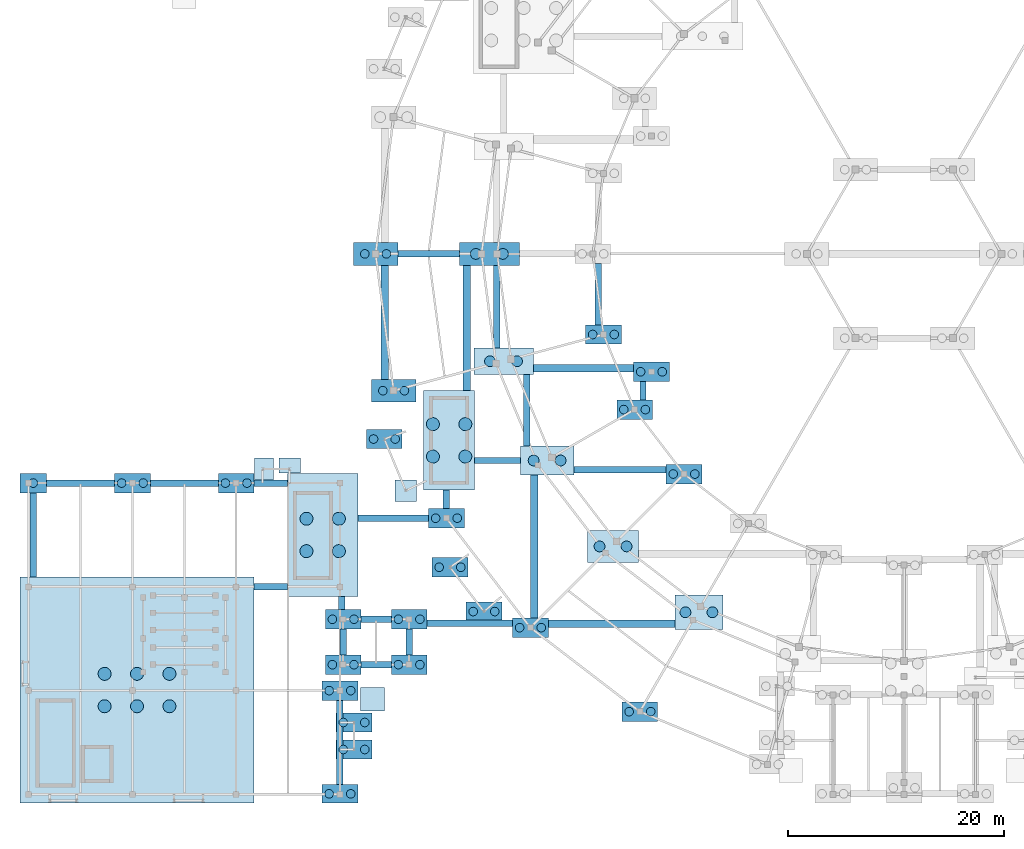
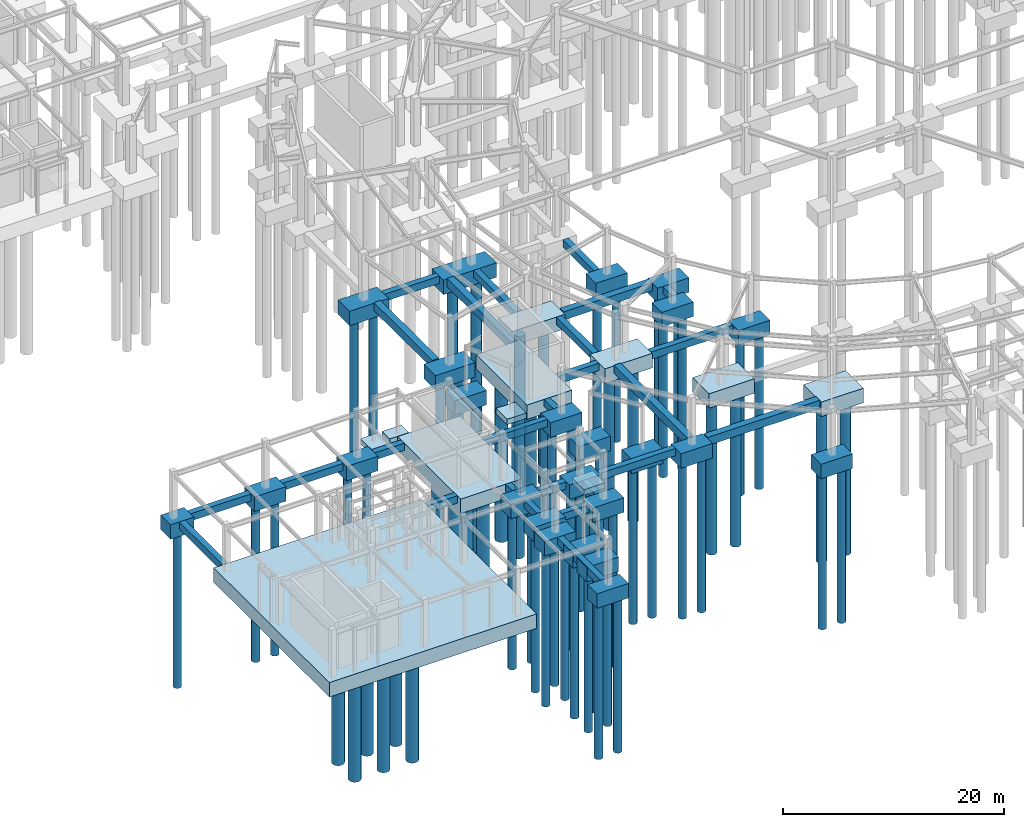
# One storey, part 1 of 55: 69 piles, 61 footings.
"""IFC4 building model written with IfcOpenShell, lengths in metres."""

from ifc_helpers import new_model, si_unit, direction, frame, origin, origin_2d, place, context, subcontext, project, spatial, rectangle, circle, extrude, material, material_profile, profile_set, type_object, element, save


model = new_model("IFC4")

# Units and contexts
model_context = context("Model", 3, precision=1e-05, world=origin(), true_north=direction((0.0, 1.0)))
body_context = subcontext(model_context, "Body", "Model", "MODEL_VIEW")
ifc_project = project(units=[si_unit("LENGTHUNIT", "METRE"), si_unit("AREAUNIT", "SQUARE_METRE"), si_unit("VOLUMEUNIT", "CUBIC_METRE"), si_unit("PLANEANGLEUNIT", "RADIAN"), si_unit("MASSUNIT", "GRAM", prefix="KILO")], contexts=[model_context])

# Site, building, storey
site_placement = place(None, origin())
site = spatial("IfcSite", under=ifc_project, at=site_placement, CompositionType="ELEMENT")
building_placement = place(site_placement, origin())
building = spatial("IfcBuilding", under=site, at=building_placement, Name="Almandine Court Research Institute", CompositionType="ELEMENT")
storey_placement = place(building_placement, frame((0.0, 0.0, -5.25)))
storey = spatial("IfcBuildingStorey", under=building, at=storey_placement, Name="B1", CompositionType="ELEMENT", Elevation=-5.25)

# Footings
ifc_material = material(Name="Concrete C35/45", Category="concrete")
footing_type_1 = type_object("IfcFootingType", Name="Cap-PC-02", PredefinedType="PILE_CAP", material=ifc_material)
footing_1_placement = place(storey_placement, frame((16.02490234375, 15.64990234375, -1.60009765625), z_axis=(0.0, 0.0, 1.0), x_axis=(1.0, 0.0, 0.0)))
element("IfcFooting", 1, at=footing_1_placement, inside=storey, type_object=footing_type_1, Name="Reinforced Concrete Pile Cap 004", PredefinedType="PILE_CAP", context=body_context, shape_type="SweptSolid", body=[
    extrude(rectangle(XDim=21.64990234375, YDim=20.89990234375, at=origin_2d()), origin(), (0.0, 0.0, 1.0), 1.60009765625),
])
footing_type_2 = type_object("IfcFootingType", Name="Cap-PC-03", PredefinedType="PILE_CAP", material=ifc_material)
footing_2_placement = place(storey_placement, frame((34.800048828125, 6.050048828125, -1.60009765625), z_axis=(0.0, 0.0, 1.0), x_axis=(1.0, 0.0, 0.0)))
element("IfcFooting", 2, at=footing_2_placement, inside=storey, type_object=footing_type_2, Name="Reinforced Concrete Pile Cap 005", PredefinedType="PILE_CAP", context=body_context, shape_type="SweptSolid", body=[
    extrude(rectangle(XDim=3.300048828125, YDim=1.699951171875, at=origin_2d()), origin(), (0.0, 0.0, 1.0), 1.60009765625),
])
footing_type_3 = type_object("IfcFootingType", Name="Cap-PC-05", PredefinedType="PILE_CAP", material=ifc_material)
for number, where, z_axis, x_axis, name in (
    (3, (62.550048828125, 13.65087890625, -1.60009765625), (0.0, 0.0, 1.0), (1.0, 0.0, 0.0), "Reinforced Concrete Pile Cap 012"),
    (4, (34.800048828125, 15.60009765625, -1.60009765625), (0.0, 0.0, 1.0), (1.0, 0.0, 0.0), "Reinforced Concrete Pile Cap 020"),
    (5, (35.10009765625, 18.0, -1.60009765625), (0.0, 0.0, 1.0), (1.0, 0.0, 0.0), "Reinforced Concrete Pile Cap 024"),
    (6, (41.199951171875, 18.0, -1.60009765625), (0.0, 0.0, 1.0), (1.0, 0.0, 0.0), "Reinforced Concrete Pile Cap 025"),
    (7, (52.422119140625, 21.422119140625, -1.60009765625), (0.0, 0.0, 1.0), (1.0, 0.0, 0.0), "Reinforced Concrete Pile Cap 028"),
    (8, (35.10009765625, 22.199951171875, -1.60009765625), (0.0, 0.0, 1.0), (1.0, 0.0, 0.0), "Reinforced Concrete Pile Cap 032"),
    (9, (41.199951171875, 22.199951171875, -1.60009765625), (0.0, 0.0, 1.0), (1.0, 0.0, 0.0), "Reinforced Concrete Pile Cap 033"),
    (10, (44.65087890625, 31.550048828125, -1.60009765625), (0.0, 0.0, 1.0), (1.0, 0.0, 0.0), "Reinforced Concrete Pile Cap 047"),
    (11, (15.60009765625, 34.800048828125, -1.60009765625), (0.0, 0.0, 1.0), (1.0, 0.0, 0.0), "Reinforced Concrete Pile Cap 052"),
    (12, (25.199951171875, 34.800048828125, -1.60009765625), (0.0, 0.0, 1.0), (1.0, 0.0, 0.0), "Reinforced Concrete Pile Cap 053"),
    (13, (66.635009765625, 35.635009765625, -1.60009765625), (0.0, 0.0, 1.0), (1.0, 0.0, 0.0), "Reinforced Concrete Pile Cap 057"),
    (14, (62.05810546875, 41.60009765625, -1.60009765625), (0.0, 0.0, 1.0), (1.0, 0.0, 0.0), "Reinforced Concrete Pile Cap 060"),
    (15, (63.616943359375, 45.095947265625, -1.60009765625), (0.0, 0.0, 1.0), (1.0, 0.0, 0.0), "Reinforced Concrete Pile Cap 068"),
    (16, (59.180908203125, 48.5458984375, -1.60009765625), (0.0, 0.0, 1.0), (1.0, 0.0, 0.0), "Reinforced Concrete Pile Cap 072"),
):
    element("IfcFooting", number, at=place(storey_placement, frame(where, z_axis=z_axis, x_axis=x_axis)), inside=storey, type_object=footing_type_3, Name=name, PredefinedType="PILE_CAP", context=body_context, shape_type="SweptSolid", body=[
        extrude(rectangle(XDim=3.300048828125, YDim=1.800048828125, at=origin_2d()), origin(), (0.0, 0.0, 1.0), 1.60009765625),
    ])
footing_type_4 = type_object("IfcFootingType", Name="Cap-PC-10", PredefinedType="PILE_CAP", material=ifc_material)
footing_3_placement = place(storey_placement, frame((68.011962890625, 22.841064453125, -1.60009765625), z_axis=(0.0, 0.0, 1.0), x_axis=(1.0, 0.0, 0.0)))
element("IfcFooting", 17, at=footing_3_placement, inside=storey, type_object=footing_type_4, Name="Reinforced Concrete Pile Cap 030", PredefinedType="PILE_CAP", context=body_context, shape_type="SweptSolid", body=[
    extrude(rectangle(XDim=4.425048828125, YDim=3.2060546875, at=origin_2d()), origin(), (0.0, 0.0, 1.0), 1.60009765625),
])
footing_type_5 = type_object("IfcFootingType", Name="Cap-PC-11", PredefinedType="PILE_CAP", material=ifc_material)
footing_4_placement = place(storey_placement, frame((33.199951171875, 30.0, -1.60009765625), z_axis=(0.0, 0.0, 1.0), x_axis=(1.0, 0.0, 0.0)))
element("IfcFooting", 18, at=footing_4_placement, inside=storey, type_object=footing_type_5, Name="Reinforced Concrete Pile Cap 036", PredefinedType="PILE_CAP", context=body_context, shape_type="SweptSolid", body=[
    extrude(rectangle(XDim=6.5, YDim=11.39990234375, at=origin_2d()), origin(), (0.0, 0.0, 1.0), 1.60009765625),
])
footing_type_6 = type_object("IfcFootingType", Name="Cap-PC-13", PredefinedType="PILE_CAP", material=ifc_material)
footing_5_placement = place(storey_placement, frame((60.06396484375, 28.93994140625, -1.60009765625), z_axis=(0.0, 0.0, 1.0), x_axis=(1.0, 0.0, 0.0)))
element("IfcFooting", 19, at=footing_5_placement, inside=storey, type_object=footing_type_6, Name="Reinforced Concrete Pile Cap 043", PredefinedType="PILE_CAP", context=body_context, shape_type="SweptSolid", body=[
    extrude(rectangle(XDim=4.72509765625, YDim=2.97509765625, at=origin_2d()), origin(), (0.0, 0.0, 1.0), 1.60009765625),
])
footing_type_7 = type_object("IfcFootingType", Name="Cap-PC-14", PredefinedType="PILE_CAP", material=ifc_material)
footing_6_placement = place(storey_placement, frame((6.425048828125, 34.800048828125, -1.60009765625), z_axis=(0.0, 0.0, 1.0), x_axis=(1.0, 0.0, 0.0)))
element("IfcFooting", 20, at=footing_6_placement, inside=storey, type_object=footing_type_7, Name="Reinforced Concrete Pile Cap 051", PredefinedType="PILE_CAP", context=body_context, shape_type="SweptSolid", body=[
    extrude(rectangle(XDim=2.449951171875, YDim=1.800048828125, at=origin_2d()), origin(), (0.0, 0.0, 1.0), 1.60009765625),
])
footing_type_8 = type_object("IfcFootingType", Name="Cap-PC-16", PredefinedType="PILE_CAP", material=ifc_material)
footing_7_placement = place(storey_placement, frame((44.89990234375, 38.75, -1.60009765625), z_axis=(0.0, 0.0, 1.0), x_axis=(1.0, 0.0, 0.0)))
element("IfcFooting", 21, at=footing_7_placement, inside=storey, type_object=footing_type_8, Name="Reinforced Concrete Pile Cap 056", PredefinedType="PILE_CAP", context=body_context, shape_type="SweptSolid", body=[
    extrude(rectangle(XDim=4.699951171875, YDim=9.199951171875, at=origin_2d()), origin(), (0.0, 0.0, 1.0), 1.60009765625),
])
footing_type_9 = type_object("IfcFootingType", Name="Cap-PC-17", PredefinedType="PILE_CAP", material=ifc_material)
footing_8_placement = place(storey_placement, frame((53.966064453125, 36.887939453125, -1.60009765625), z_axis=(0.0, 0.0, 1.0), x_axis=(1.0, 0.0, 0.0)))
element("IfcFooting", 22, at=footing_8_placement, inside=storey, type_object=footing_type_9, Name="Reinforced Concrete Pile Cap 059", PredefinedType="PILE_CAP", context=body_context, shape_type="SweptSolid", body=[
    extrude(rectangle(XDim=4.9560546875, YDim=2.675048828125, at=origin_2d()), origin(), (0.0, 0.0, 1.0), 1.60009765625),
])
footing_type_10 = type_object("IfcFootingType", Name="Cap-PC-18", PredefinedType="PILE_CAP", material=ifc_material)
for number, where, z_axis, x_axis, name in (
    (23, (39.76611328125, 43.343994140625, -1.60009765625), (0.0, 0.0, 1.0), (1.0, 0.0, 0.0), "Reinforced Concrete Pile Cap 062"),
    (24, (38.10009765625, 56.0, -1.60009765625), (0.0, 0.0, 1.0), (1.0, 0.0, 0.0), "Reinforced Concrete Pile Cap 080"),
):
    element("IfcFooting", number, at=place(storey_placement, frame(where, z_axis=z_axis, x_axis=x_axis)), inside=storey, type_object=footing_type_10, Name=name, PredefinedType="PILE_CAP", context=body_context, shape_type="SweptSolid", body=[
        extrude(rectangle(XDim=4.10009765625, YDim=2.10009765625, at=origin_2d()), origin(), (0.0, 0.0, 1.0), 1.60009765625),
    ])
footing_type_11 = type_object("IfcFootingType", Name="Cap-PC-21", PredefinedType="PILE_CAP", material=ifc_material)
footing_9_placement = place(storey_placement, frame((49.93310546875, 46.06689453125, -1.60009765625), z_axis=(0.0, 0.0, 1.0), x_axis=(1.0, 0.0, 0.0)))
element("IfcFooting", 25, at=footing_9_placement, inside=storey, type_object=footing_type_11, Name="Reinforced Concrete Pile Cap 069", PredefinedType="PILE_CAP", context=body_context, shape_type="SweptSolid", body=[
    extrude(rectangle(XDim=5.5009765625, YDim=2.47509765625, at=origin_2d()), origin(), (0.0, 0.0, 1.0), 1.60009765625),
])
footing_type_12 = type_object("IfcFootingType", Name="Cap-PC-25", PredefinedType="PILE_CAP", material=ifc_material)
footing_10_placement = place(storey_placement, frame((48.625, 56.0, -1.60009765625), z_axis=(0.0, 0.0, 1.0), x_axis=(1.0, 0.0, 0.0)))
element("IfcFooting", 26, at=footing_10_placement, inside=storey, type_object=footing_type_12, Name="Reinforced Concrete Pile Cap 081", PredefinedType="PILE_CAP", context=body_context, shape_type="SweptSolid", body=[
    extrude(rectangle(XDim=5.550048828125, YDim=2.10009765625, at=origin_2d()), origin(), (0.0, 0.0, 1.0), 1.60009765625),
])
footing_type_13 = type_object("IfcFootingType", Name="Cap-PC-S01", PredefinedType="PILE_CAP", material=ifc_material)
for number, where, z_axis, x_axis, name in (
    (27, (36.10009765625, 10.14990234375, -1.60009765625), (0.0, 0.0, 1.0), (1.0, 0.0, 0.0), "Supplemental Threshold Pile Cap 002"),
    (28, (36.10009765625, 12.64990234375, -1.60009765625), (0.0, 0.0, 1.0), (1.0, 0.0, 0.0), "Supplemental Threshold Pile Cap 003"),
    (29, (38.907958984375, 38.875, -1.60009765625), (0.0, 0.0, 1.0), (1.0, 0.0, 0.0), "Supplemental Threshold Pile Cap 025"),
    (30, (44.97900390625, 27.011962890625, -1.60009765625), (0.0, 0.0, 1.0), (1.0, 0.0, 0.0), "Supplemental Threshold Pile Cap 026"),
    (31, (48.123046875, 22.9130859375, -1.60009765625), (0.0, 0.0, 1.0), (1.0, 0.0, 0.0), "Supplemental Threshold Pile Cap 027"),
):
    element("IfcFooting", number, at=place(storey_placement, frame(where, z_axis=z_axis, x_axis=x_axis)), inside=storey, type_object=footing_type_13, Name=name, PredefinedType="PILE_CAP", context=body_context, shape_type="SweptSolid", body=[
        extrude(rectangle(XDim=3.300048828125, YDim=1.800048828125, at=origin_2d()), origin(), (0.0, 0.0, 1.0), 1.60009765625),
    ])
footing_type_14 = type_object("IfcFootingType", Name="Pad-PF1", PredefinedType="PAD_FOOTING", material=ifc_material)
footing_11_placement = place(storey_placement, frame((37.800048828125, 14.800048828125, 4.5), z_axis=(0.0, 0.0, 1.0), x_axis=(1.0, 0.0, 0.0)))
element("IfcFooting", 32, at=footing_11_placement, inside=storey, type_object=footing_type_14, Name="Accessible Ramp Base Pad Footing 3", PredefinedType="PAD_FOOTING", context=body_context, shape_type="SweptSolid", body=[
    extrude(rectangle(XDim=2.199951171875, YDim=2.199951171875, at=origin_2d()), origin(), (0.0, 0.0, 1.0), 0.60009765625),
])
footing_12_placement = place(storey_placement, frame((27.764892578125, 36.10009765625, -0.60009765625), z_axis=(0.0, 0.0, 1.0), x_axis=(1.0, 0.0, 0.0)))
element("IfcFooting", 33, at=footing_12_placement, inside=storey, type_object=footing_type_14, Name="Reinforced Concrete Pad Footing PAD-V1-N3-C1", PredefinedType="PAD_FOOTING", context=body_context, shape_type="SweptSolid", body=[
    extrude(rectangle(XDim=1.77001953125, YDim=2.0, at=origin_2d()), origin(), (0.0, 0.0, 1.0), 0.60009765625),
])
footing_13_placement = place(storey_placement, frame((30.14990234375, 36.4150390625, -0.60009765625), z_axis=(0.0, 0.0, 1.0), x_axis=(1.0, 0.0, 0.0)))
element("IfcFooting", 34, at=footing_13_placement, inside=storey, type_object=footing_type_14, Name="Reinforced Concrete Pad Footing PAD-V1-N3-C2", PredefinedType="PAD_FOOTING", context=body_context, shape_type="SweptSolid", body=[
    extrude(rectangle(XDim=2.0, YDim=1.3701171875, at=origin_2d()), origin(), (0.0, 0.0, 1.0), 0.60009765625),
])
footing_14_placement = place(storey_placement, frame((40.885009765625, 34.10302734375, -0.60009765625), z_axis=(0.0, 0.0, 1.0), x_axis=(1.0, 0.0, 0.0)))
element("IfcFooting", 35, at=footing_14_placement, inside=storey, type_object=footing_type_14, Name="Reinforced Concrete Pad Footing PAD-DRUM-S13-C2", PredefinedType="PAD_FOOTING", context=body_context, shape_type="SweptSolid", body=[
    extrude(rectangle(XDim=2.0, YDim=2.0, at=origin_2d()), origin(), (0.0, 0.0, 1.0), 0.60009765625),
])

# Piles
ifc_material_profile_1 = material_profile(ifc_material, circle(Radius=0.5, at=origin_2d()), Name="BORED PILE D1000")
ifc_profile_set_1 = profile_set([ifc_material_profile_1], Name="Concrete C35/45")
pile_type_1 = type_object("IfcPileType", Name="Pile-BP-1000", PredefinedType="BORED", material=ifc_profile_set_1)
for number, where, z_axis, x_axis, name in (
    (36, (66.761962890625, 22.841064453125, -1.5), (0.0, 0.0, -1.0), (1.0, 0.0, 0.0), "Bored Pile 030-1"),
    (37, (69.261962890625, 22.841064453125, -1.5), (0.0, 0.0, -1.0), (1.0, 0.0, 0.0), "Bored Pile 030-2"),
    (38, (58.81396484375, 28.93994140625, -1.5), (0.0, 0.0, -1.0), (1.0, 0.0, 0.0), "Bored Pile 043-1"),
    (39, (61.31396484375, 28.93994140625, -1.5), (0.0, 0.0, -1.0), (1.0, 0.0, 0.0), "Bored Pile 043-2"),
    (40, (52.716064453125, 36.887939453125, -1.5), (0.0, 0.0, -1.0), (1.0, 0.0, 0.0), "Bored Pile 059-1"),
    (41, (55.216064453125, 36.887939453125, -1.5), (0.0, 0.0, -1.0), (1.0, 0.0, 0.0), "Bored Pile 059-2"),
    (42, (48.68310546875, 46.06689453125, -1.5), (0.0, 0.0, -1.0), (1.0, 0.0, 0.0), "Bored Pile 069-1"),
    (43, (51.18310546875, 46.06689453125, -1.5), (0.0, 0.0, -1.0), (1.0, 0.0, 0.0), "Bored Pile 069-2"),
    (44, (47.375, 56.0, -1.5), (0.0, 0.0, -1.0), (1.0, 0.0, 0.0), "Bored Pile 081-1"),
    (45, (49.875, 56.0, -1.5), (0.0, 0.0, -1.0), (1.0, 0.0, 0.0), "Bored Pile 081-2"),
):
    element("IfcPile", number, at=place(storey_placement, frame(where, z_axis=z_axis, x_axis=x_axis)), inside=storey, type_object=pile_type_1, Name=name, PredefinedType="BORED", context=body_context, shape_type="SweptSolid", body=[
        extrude(circle(Radius=0.5, at=origin_2d()), origin(), (0.0, 0.0, 1.0), 17.25),
    ])
ifc_material_profile_2 = material_profile(ifc_material, circle(Radius=0.60009765625, at=origin_2d()), Name="BORED PILE D1200")
ifc_profile_set_2 = profile_set([ifc_material_profile_2], Name="Concrete C35/45")
pile_type_2 = type_object("IfcPileType", Name="Pile-BP-1200", PredefinedType="BORED", material=ifc_profile_set_2)
for number, where, z_axis, x_axis, name in (
    (46, (13.02490234375, 14.14990234375, -1.5), (0.0, 0.0, -1.0), (1.0, 0.0, 0.0), "Bored Pile 004-1"),
    (47, (13.02490234375, 17.14990234375, -1.5), (0.0, 0.0, -1.0), (1.0, 0.0, 0.0), "Bored Pile 004-2"),
    (48, (16.02490234375, 14.14990234375, -1.5), (0.0, 0.0, -1.0), (1.0, 0.0, 0.0), "Bored Pile 004-3"),
    (49, (16.02490234375, 17.14990234375, -1.5), (0.0, 0.0, -1.0), (1.0, 0.0, 0.0), "Bored Pile 004-4"),
    (50, (19.02490234375, 14.14990234375, -1.5), (0.0, 0.0, -1.0), (1.0, 0.0, 0.0), "Bored Pile 004-5"),
    (51, (19.02490234375, 17.14990234375, -1.5), (0.0, 0.0, -1.0), (1.0, 0.0, 0.0), "Bored Pile 004-6"),
    (52, (31.699951171875, 28.5, -1.5), (0.0, 0.0, -1.0), (1.0, 0.0, 0.0), "Bored Pile 036-1"),
    (53, (31.699951171875, 31.5, -1.5), (0.0, 0.0, -1.0), (1.0, 0.0, 0.0), "Bored Pile 036-2"),
    (54, (34.699951171875, 28.5, -1.5), (0.0, 0.0, -1.0), (1.0, 0.0, 0.0), "Bored Pile 036-3"),
    (55, (34.699951171875, 31.5, -1.5), (0.0, 0.0, -1.0), (1.0, 0.0, 0.0), "Bored Pile 036-4"),
    (56, (43.39990234375, 37.25, -1.5), (0.0, 0.0, -1.0), (1.0, 0.0, 0.0), "Bored Pile 056-1"),
    (57, (43.39990234375, 40.25, -1.5), (0.0, 0.0, -1.0), (1.0, 0.0, 0.0), "Bored Pile 056-2"),
    (58, (46.39990234375, 37.25, -1.5), (0.0, 0.0, -1.0), (1.0, 0.0, 0.0), "Bored Pile 056-3"),
    (59, (46.39990234375, 40.25, -1.5), (0.0, 0.0, -1.0), (1.0, 0.0, 0.0), "Bored Pile 056-4"),
):
    element("IfcPile", number, at=place(storey_placement, frame(where, z_axis=z_axis, x_axis=x_axis)), inside=storey, type_object=pile_type_2, Name=name, PredefinedType="BORED", context=body_context, shape_type="SweptSolid", body=[
        extrude(circle(Radius=0.60009765625, at=origin_2d()), origin(), (0.0, 0.0, 1.0), 17.25),
    ])
ifc_material_profile_3 = material_profile(ifc_material, circle(Radius=0.39990234375, at=origin_2d()), Name="BORED PILE D800")
ifc_profile_set_3 = profile_set([ifc_material_profile_3], Name="Concrete C35/45")
pile_type_3 = type_object("IfcPileType", Name="Pile-BP-800", PredefinedType="BORED", material=ifc_profile_set_3)
for number, where, z_axis, x_axis, name in (
    (60, (33.800048828125, 6.050048828125, -1.5), (0.0, 0.0, -1.0), (1.0, 0.0, 0.0), "Bored Pile 005-1"),
    (61, (35.800048828125, 6.050048828125, -1.5), (0.0, 0.0, -1.0), (1.0, 0.0, 0.0), "Bored Pile 005-2"),
    (62, (61.550048828125, 13.65087890625, -1.5), (0.0, 0.0, -1.0), (1.0, 0.0, 0.0), "Bored Pile 012-1"),
    (63, (63.550048828125, 13.65087890625, -1.5), (0.0, 0.0, -1.0), (1.0, 0.0, 0.0), "Bored Pile 012-2"),
    (64, (33.800048828125, 15.60009765625, -1.5), (0.0, 0.0, -1.0), (1.0, 0.0, 0.0), "Bored Pile 020-1"),
    (65, (35.800048828125, 15.60009765625, -1.5), (0.0, 0.0, -1.0), (1.0, 0.0, 0.0), "Bored Pile 020-2"),
    (66, (34.10009765625, 18.0, -1.5), (0.0, 0.0, -1.0), (1.0, 0.0, 0.0), "Bored Pile 024-1"),
    (67, (36.10009765625, 18.0, -1.5), (0.0, 0.0, -1.0), (1.0, 0.0, 0.0), "Bored Pile 024-2"),
    (68, (40.199951171875, 18.0, -1.5), (0.0, 0.0, -1.0), (1.0, 0.0, 0.0), "Bored Pile 025-1"),
    (69, (42.199951171875, 18.0, -1.5), (0.0, 0.0, -1.0), (1.0, 0.0, 0.0), "Bored Pile 025-2"),
    (70, (51.422119140625, 21.422119140625, -1.5), (0.0, 0.0, -1.0), (1.0, 0.0, 0.0), "Bored Pile 028-1"),
    (71, (53.422119140625, 21.422119140625, -1.5), (0.0, 0.0, -1.0), (1.0, 0.0, 0.0), "Bored Pile 028-2"),
    (72, (34.10009765625, 22.199951171875, -1.5), (0.0, 0.0, -1.0), (1.0, 0.0, 0.0), "Bored Pile 032-1"),
    (73, (36.10009765625, 22.199951171875, -1.5), (0.0, 0.0, -1.0), (1.0, 0.0, 0.0), "Bored Pile 032-2"),
    (74, (40.199951171875, 22.199951171875, -1.5), (0.0, 0.0, -1.0), (1.0, 0.0, 0.0), "Bored Pile 033-1"),
    (75, (42.199951171875, 22.199951171875, -1.5), (0.0, 0.0, -1.0), (1.0, 0.0, 0.0), "Bored Pile 033-2"),
    (76, (43.65087890625, 31.550048828125, -1.5), (0.0, 0.0, -1.0), (1.0, 0.0, 0.0), "Bored Pile 047-1"),
    (77, (45.65087890625, 31.550048828125, -1.5), (0.0, 0.0, -1.0), (1.0, 0.0, 0.0), "Bored Pile 047-2"),
    (78, (6.425048828125, 34.800048828125, -1.5), (0.0, 0.0, -1.0), (1.0, 0.0, 0.0), "Bored Pile 051-1"),
    (79, (14.60009765625, 34.800048828125, -1.5), (0.0, 0.0, -1.0), (1.0, 0.0, 0.0), "Bored Pile 052-1"),
    (80, (16.60009765625, 34.800048828125, -1.5), (0.0, 0.0, -1.0), (1.0, 0.0, 0.0), "Bored Pile 052-2"),
    (81, (24.199951171875, 34.800048828125, -1.5), (0.0, 0.0, -1.0), (1.0, 0.0, 0.0), "Bored Pile 053-1"),
    (82, (26.199951171875, 34.800048828125, -1.5), (0.0, 0.0, -1.0), (1.0, 0.0, 0.0), "Bored Pile 053-2"),
    (83, (65.635009765625, 35.635009765625, -1.5), (0.0, 0.0, -1.0), (1.0, 0.0, 0.0), "Bored Pile 057-1"),
    (84, (67.635009765625, 35.635009765625, -1.5), (0.0, 0.0, -1.0), (1.0, 0.0, 0.0), "Bored Pile 057-2"),
    (85, (61.05810546875, 41.60009765625, -1.5), (0.0, 0.0, -1.0), (1.0, 0.0, 0.0), "Bored Pile 060-1"),
    (86, (63.05810546875, 41.60009765625, -1.5), (0.0, 0.0, -1.0), (1.0, 0.0, 0.0), "Bored Pile 060-2"),
    (87, (38.76611328125, 43.343994140625, -1.5), (0.0, 0.0, -1.0), (1.0, 0.0, 0.0), "Bored Pile 062-1"),
    (88, (40.76611328125, 43.343994140625, -1.5), (0.0, 0.0, -1.0), (1.0, 0.0, 0.0), "Bored Pile 062-2"),
    (89, (62.616943359375, 45.095947265625, -1.5), (0.0, 0.0, -1.0), (1.0, 0.0, 0.0), "Bored Pile 068-1"),
    (90, (64.616943359375, 45.095947265625, -1.5), (0.0, 0.0, -1.0), (1.0, 0.0, 0.0), "Bored Pile 068-2"),
    (91, (58.180908203125, 48.5458984375, -1.5), (0.0, 0.0, -1.0), (1.0, 0.0, 0.0), "Bored Pile 072-1"),
    (92, (60.180908203125, 48.5458984375, -1.5), (0.0, 0.0, -1.0), (1.0, 0.0, 0.0), "Bored Pile 072-2"),
    (93, (37.10009765625, 56.0, -1.5), (0.0, 0.0, -1.0), (1.0, 0.0, 0.0), "Bored Pile 080-1"),
    (94, (39.10009765625, 56.0, -1.5), (0.0, 0.0, -1.0), (1.0, 0.0, 0.0), "Bored Pile 080-2"),
    (95, (35.10009765625, 10.14990234375, -1.5), (0.0, 0.0, -1.0), (1.0, 0.0, 0.0), "Supplemental Bored Pile 002-1"),
    (96, (37.10009765625, 10.14990234375, -1.5), (0.0, 0.0, -1.0), (1.0, 0.0, 0.0), "Supplemental Bored Pile 002-2"),
    (97, (35.10009765625, 12.64990234375, -1.5), (0.0, 0.0, -1.0), (1.0, 0.0, 0.0), "Supplemental Bored Pile 003-1"),
    (98, (37.10009765625, 12.64990234375, -1.5), (0.0, 0.0, -1.0), (1.0, 0.0, 0.0), "Supplemental Bored Pile 003-2"),
    (99, (37.907958984375, 38.875, -1.5), (0.0, 0.0, -1.0), (1.0, 0.0, 0.0), "Supplemental Bored Pile 025-1"),
    (100, (39.907958984375, 38.875, -1.5), (0.0, 0.0, -1.0), (1.0, 0.0, 0.0), "Supplemental Bored Pile 025-2"),
    (101, (43.97900390625, 27.011962890625, -1.5), (0.0, 0.0, -1.0), (1.0, 0.0, 0.0), "Supplemental Bored Pile 026-1"),
    (102, (45.97900390625, 27.011962890625, -1.5), (0.0, 0.0, -1.0), (1.0, 0.0, 0.0), "Supplemental Bored Pile 026-2"),
    (103, (47.123046875, 22.9130859375, -1.5), (0.0, 0.0, -1.0), (1.0, 0.0, 0.0), "Supplemental Bored Pile 027-1"),
    (104, (49.123046875, 22.9130859375, -1.5), (0.0, 0.0, -1.0), (1.0, 0.0, 0.0), "Supplemental Bored Pile 027-2"),
):
    element("IfcPile", number, at=place(storey_placement, frame(where, z_axis=z_axis, x_axis=x_axis)), inside=storey, type_object=pile_type_3, Name=name, PredefinedType="BORED", context=body_context, shape_type="SweptSolid", body=[
        extrude(circle(Radius=0.39990234375, at=origin_2d()), origin(), (0.0, 0.0, 1.0), 17.25),
    ])

# Footings
ifc_material_profile_4 = material_profile(ifc_material, rectangle(XDim=0.60009765625, YDim=0.800048828125, at=origin_2d()), Name="RC TIE 600x800")
ifc_profile_set_4 = profile_set([ifc_material_profile_4], Name="Concrete C35/45")
footing_type_15 = type_object("IfcFootingType", Name="TieBeam-TB1", PredefinedType="FOOTING_BEAM", material=ifc_profile_set_4)
for number, where, z_axis, x_axis, name in (
    (105, (7.64990234375, 34.800048828125, -0.39990234375), (1.0, 0.0, 0.0), (0.0, 1.0, 0.0), "Seismic Foundation Tie Beam 001"),
    (106, (17.25, 34.800048828125, -0.39990234375), (1.0, 0.0, 0.0), (0.0, 1.0, 0.0), "Seismic Foundation Tie Beam 006"),
):
    element("IfcFooting", number, at=place(storey_placement, frame(where, z_axis=z_axis, x_axis=x_axis)), inside=storey, type_object=footing_type_15, Name=name, PredefinedType="FOOTING_BEAM", context=body_context, shape_type="SweptSolid", body=[
        extrude(rectangle(XDim=0.60009765625, YDim=0.800048828125, at=origin_2d()), origin(), (0.0, 0.0, 1.0), 6.300048828125),
    ])
for number, where, z_axis, x_axis, name in (
    (107, (26.85009765625, 25.199951171875, -0.39990234375), (1.0, 0.0, 0.0), (0.0, 1.0, 0.0), "Seismic Foundation Tie Beam 010"),
    (108, (26.85009765625, 34.800048828125, -0.39990234375), (1.0, 0.0, 0.0), (0.0, 1.0, 0.0), "Seismic Foundation Tie Beam 012"),
):
    element("IfcFooting", number, at=place(storey_placement, frame(where, z_axis=z_axis, x_axis=x_axis)), inside=storey, type_object=footing_type_15, Name=name, PredefinedType="FOOTING_BEAM", context=body_context, shape_type="SweptSolid", body=[
        extrude(rectangle(XDim=0.60009765625, YDim=0.800048828125, at=origin_2d()), origin(), (0.0, 0.0, 1.0), 3.099853515625),
    ])
footing_15_placement = place(storey_placement, frame((36.449951171875, 31.550048828125, -0.39990234375), z_axis=(1.0, 0.0, 0.0), x_axis=(0.0, 1.0, 0.0)))
element("IfcFooting", 109, at=footing_15_placement, inside=storey, type_object=footing_type_15, Name="Seismic Foundation Tie Beam 014", PredefinedType="FOOTING_BEAM", context=body_context, shape_type="SweptSolid", body=[
    extrude(rectangle(XDim=0.60009765625, YDim=0.800048828125, at=origin_2d()), origin(), (0.0, 0.0, 1.0), 6.551025390625),
])
for number, where, z_axis, x_axis, name in (
    (110, (36.75, 18.0, -0.39990234375), (1.0, 0.0, 0.0), (0.0, 1.0, 0.0), "Seismic Foundation Tie Beam 017"),
    (111, (36.75, 22.199951171875, -0.39990234375), (1.0, 0.0, 0.0), (0.0, 1.0, 0.0), "Seismic Foundation Tie Beam 018"),
):
    element("IfcFooting", number, at=place(storey_placement, frame(where, z_axis=z_axis, x_axis=x_axis)), inside=storey, type_object=footing_type_15, Name=name, PredefinedType="FOOTING_BEAM", context=body_context, shape_type="SweptSolid", body=[
        extrude(rectangle(XDim=0.60009765625, YDim=0.800048828125, at=origin_2d()), origin(), (0.0, 0.0, 1.0), 2.800048828125),
    ])
footing_16_placement = place(storey_placement, frame((40.14990234375, 56.0, -0.39990234375), z_axis=(1.0, 0.0, 0.0), x_axis=(0.0, 1.0, 0.0)))
element("IfcFooting", 112, at=footing_16_placement, inside=storey, type_object=footing_type_15, Name="Seismic Foundation Tie Beam 020", PredefinedType="FOOTING_BEAM", context=body_context, shape_type="SweptSolid", body=[
    extrude(rectangle(XDim=0.60009765625, YDim=0.800048828125, at=origin_2d()), origin(), (0.0, 0.0, 1.0), 5.7001953125),
])
footing_17_placement = place(storey_placement, frame((42.85009765625, 21.81103515625, -0.39990234375), z_axis=(1.0, 0.0, 0.0), x_axis=(0.0, 1.0, 0.0)))
element("IfcFooting", 113, at=footing_17_placement, inside=storey, type_object=footing_type_15, Name="Seismic Foundation Tie Beam 021", PredefinedType="FOOTING_BEAM", context=body_context, shape_type="SweptSolid", body=[
    extrude(rectangle(XDim=0.60009765625, YDim=0.800048828125, at=origin_2d()), origin(), (0.0, 0.0, 1.0), 7.921875),
])
footing_18_placement = place(storey_placement, frame((47.25, 36.887939453125, -0.39990234375), z_axis=(1.0, 0.0, 0.0), x_axis=(0.0, 1.0, 0.0)))
element("IfcFooting", 114, at=footing_18_placement, inside=storey, type_object=footing_type_15, Name="Seismic Foundation Tie Beam 023", PredefinedType="FOOTING_BEAM", context=body_context, shape_type="SweptSolid", body=[
    extrude(rectangle(XDim=0.60009765625, YDim=0.800048828125, at=origin_2d()), origin(), (0.0, 0.0, 1.0), 4.238037109375),
])
footing_19_placement = place(storey_placement, frame((56.444091796875, 36.0419921875, -0.39990234375), z_axis=(1.0, 0.0, 0.0), x_axis=(0.0, 1.0, 0.0)))
element("IfcFooting", 115, at=footing_19_placement, inside=storey, type_object=footing_type_15, Name="Seismic Foundation Tie Beam 030", PredefinedType="FOOTING_BEAM", context=body_context, shape_type="SweptSolid", body=[
    extrude(rectangle(XDim=0.60009765625, YDim=0.800048828125, at=origin_2d()), origin(), (0.0, 0.0, 1.0), 8.541015625),
])
footing_20_placement = place(storey_placement, frame((34.800048828125, 6.89990234375, -0.39990234375), z_axis=(0.0, 1.0, 0.0), x_axis=(-1.0, 0.0, 0.0)))
element("IfcFooting", 116, at=footing_20_placement, inside=storey, type_object=footing_type_15, Name="Seismic Foundation Tie Beam 106", PredefinedType="FOOTING_BEAM", context=body_context, shape_type="SweptSolid", body=[
    extrude(rectangle(XDim=0.60009765625, YDim=0.800048828125, at=origin_2d()), origin(), (0.0, 0.0, 1.0), 7.800048828125),
])
footing_21_placement = place(storey_placement, frame((6.425048828125, 26.10009765625, -0.39990234375), z_axis=(0.0, 1.0, 0.0), x_axis=(-1.0, 0.0, 0.0)))
element("IfcFooting", 117, at=footing_21_placement, inside=storey, type_object=footing_type_15, Name="Seismic Foundation Tie Beam 122", PredefinedType="FOOTING_BEAM", context=body_context, shape_type="SweptSolid", body=[
    extrude(rectangle(XDim=0.60009765625, YDim=0.800048828125, at=origin_2d()), origin(), (0.0, 0.0, 1.0), 7.7998046875),
])
for number, where, z_axis, x_axis, name in (
    (118, (35.10009765625, 18.89990234375, -0.39990234375), (0.0, 1.0, 0.0), (-1.0, 0.0, 0.0), "Seismic Foundation Tie Beam 124"),
    (119, (41.199951171875, 18.89990234375, -0.39990234375), (0.0, 1.0, 0.0), (-1.0, 0.0, 0.0), "Seismic Foundation Tie Beam 125"),
):
    element("IfcFooting", number, at=place(storey_placement, frame(where, z_axis=z_axis, x_axis=x_axis)), inside=storey, type_object=footing_type_15, Name=name, PredefinedType="FOOTING_BEAM", context=body_context, shape_type="SweptSolid", body=[
        extrude(rectangle(XDim=0.60009765625, YDim=0.800048828125, at=origin_2d()), origin(), (0.0, 0.0, 1.0), 2.400146484375),
    ])
footing_22_placement = place(storey_placement, frame((34.949951171875, 23.10009765625, -0.39990234375), z_axis=(0.0, 1.0, 0.0), x_axis=(-1.0, 0.0, 0.0)))
element("IfcFooting", 120, at=footing_22_placement, inside=storey, type_object=footing_type_15, Name="Seismic Foundation Tie Beam 130", PredefinedType="FOOTING_BEAM", context=body_context, shape_type="SweptSolid", body=[
    extrude(rectangle(XDim=0.60009765625, YDim=0.800048828125, at=origin_2d()), origin(), (0.0, 0.0, 1.0), 1.199951171875),
])
footing_23_placement = place(storey_placement, frame((44.65087890625, 32.449951171875, -0.39990234375), z_axis=(0.0, 1.0, 0.0), x_axis=(-1.0, 0.0, 0.0)))
element("IfcFooting", 121, at=footing_23_placement, inside=storey, type_object=footing_type_15, Name="Seismic Foundation Tie Beam 136", PredefinedType="FOOTING_BEAM", context=body_context, shape_type="SweptSolid", body=[
    extrude(rectangle(XDim=0.60009765625, YDim=0.800048828125, at=origin_2d()), origin(), (0.0, 0.0, 1.0), 1.699951171875),
])
footing_24_placement = place(storey_placement, frame((52.0849609375, 38.22509765625, -0.39990234375), z_axis=(0.0, 1.0, 0.0), x_axis=(-1.0, 0.0, 0.0)))
element("IfcFooting", 122, at=footing_24_placement, inside=storey, type_object=footing_type_15, Name="Seismic Foundation Tie Beam 141", PredefinedType="FOOTING_BEAM", context=body_context, shape_type="SweptSolid", body=[
    extrude(rectangle(XDim=0.60009765625, YDim=0.800048828125, at=origin_2d()), origin(), (0.0, 0.0, 1.0), 6.60498046875),
])
footing_25_placement = place(storey_placement, frame((62.8369140625, 42.5, -0.39990234375), z_axis=(0.0, 1.0, 0.0), x_axis=(-1.0, 0.0, 0.0)))
element("IfcFooting", 123, at=footing_25_placement, inside=storey, type_object=footing_type_15, Name="Seismic Foundation Tie Beam 144", PredefinedType="FOOTING_BEAM", context=body_context, shape_type="SweptSolid", body=[
    extrude(rectangle(XDim=0.60009765625, YDim=0.800048828125, at=origin_2d()), origin(), (0.0, 0.0, 1.0), 1.696044921875),
])
footing_26_placement = place(storey_placement, frame((49.291015625, 47.304931640625, -0.39990234375), z_axis=(0.0, 1.0, 0.0), x_axis=(-1.0, 0.0, 0.0)))
element("IfcFooting", 124, at=footing_26_placement, inside=storey, type_object=footing_type_15, Name="Seismic Foundation Tie Beam 149", PredefinedType="FOOTING_BEAM", context=body_context, shape_type="SweptSolid", body=[
    extrude(rectangle(XDim=0.60009765625, YDim=0.800048828125, at=origin_2d()), origin(), (0.0, 0.0, 1.0), 7.64501953125),
])
footing_27_placement = place(storey_placement, frame((58.69091796875, 49.446044921875, -0.39990234375), z_axis=(0.0, 1.0, 0.0), x_axis=(-1.0, 0.0, 0.0)))
element("IfcFooting", 125, at=footing_27_placement, inside=storey, type_object=footing_type_15, Name="Seismic Foundation Tie Beam 150", PredefinedType="FOOTING_BEAM", context=body_context, shape_type="SweptSolid", body=[
    extrude(rectangle(XDim=0.60009765625, YDim=0.800048828125, at=origin_2d()), origin(), (0.0, 0.0, 1.0), 5.654052734375),
])
ifc_material_profile_5 = material_profile(ifc_material, rectangle(XDim=0.699951171875, YDim=0.89990234375, at=origin_2d()), Name="RC TIE 700x900")
ifc_profile_set_5 = profile_set([ifc_material_profile_5], Name="Concrete C35/45")
footing_type_16 = type_object("IfcFootingType", Name="TieBeam-TB2", PredefinedType="FOOTING_BEAM", material=ifc_profile_set_5)
footing_28_placement = place(storey_placement, frame((52.68310546875, 45.4130859375, -0.35009765625), z_axis=(1.0, 0.0, 0.0), x_axis=(0.0, 1.0, 0.0)))
element("IfcFooting", 126, at=footing_28_placement, inside=storey, type_object=footing_type_16, Name="Seismic Foundation Tie Beam 025", PredefinedType="FOOTING_BEAM", context=body_context, shape_type="SweptSolid", body=[
    extrude(rectangle(XDim=0.699951171875, YDim=0.89990234375, at=origin_2d()), origin(), (0.0, 0.0, 1.0), 9.283935546875),
])
footing_29_placement = place(storey_placement, frame((54.072021484375, 21.780029296875, -0.35009765625), z_axis=(1.0, 0.0, 0.0), x_axis=(0.0, 1.0, 0.0)))
element("IfcFooting", 127, at=footing_29_placement, inside=storey, type_object=footing_type_16, Name="Seismic Foundation Tie Beam 028", PredefinedType="FOOTING_BEAM", context=body_context, shape_type="SweptSolid", body=[
    extrude(rectangle(XDim=0.699951171875, YDim=0.89990234375, at=origin_2d()), origin(), (0.0, 0.0, 1.0), 11.72802734375),
])
footing_30_placement = place(storey_placement, frame((52.780029296875, 22.322021484375, -0.35009765625), z_axis=(0.0, 1.0, 0.0), x_axis=(-1.0, 0.0, 0.0)))
element("IfcFooting", 128, at=footing_30_placement, inside=storey, type_object=footing_type_16, Name="Seismic Foundation Tie Beam 128", PredefinedType="FOOTING_BEAM", context=body_context, shape_type="SweptSolid", body=[
    extrude(rectangle(XDim=0.699951171875, YDim=0.89990234375, at=origin_2d()), origin(), (0.0, 0.0, 1.0), 13.22802734375),
])
footing_31_placement = place(storey_placement, frame((46.550048828125, 43.35009765625, -0.35009765625), z_axis=(0.0, 1.0, 0.0), x_axis=(-1.0, 0.0, 0.0)))
element("IfcFooting", 129, at=footing_31_placement, inside=storey, type_object=footing_type_16, Name="Seismic Foundation Tie Beam 142", PredefinedType="FOOTING_BEAM", context=body_context, shape_type="SweptSolid", body=[
    extrude(rectangle(XDim=0.699951171875, YDim=0.89990234375, at=origin_2d()), origin(), (0.0, 0.0, 1.0), 11.599853515625),
])
footing_32_placement = place(storey_placement, frame((38.93310546875, 44.39404296875, -0.35009765625), z_axis=(0.0, 1.0, 0.0), x_axis=(-1.0, 0.0, 0.0)))
element("IfcFooting", 130, at=footing_32_placement, inside=storey, type_object=footing_type_16, Name="Seismic Foundation Tie Beam 145", PredefinedType="FOOTING_BEAM", context=body_context, shape_type="SweptSolid", body=[
    extrude(rectangle(XDim=0.699951171875, YDim=0.89990234375, at=origin_2d()), origin(), (0.0, 0.0, 1.0), 10.555908203125),
])

save(model, "model.ifc")
